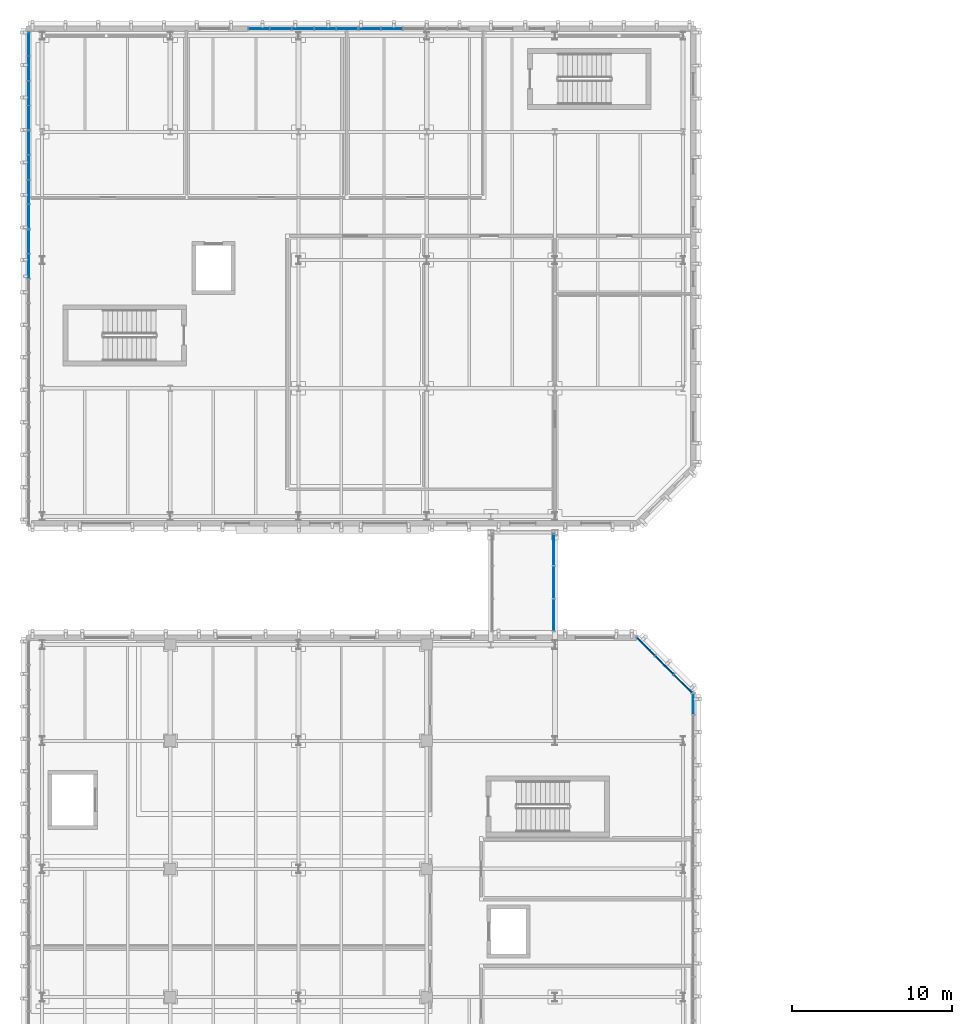
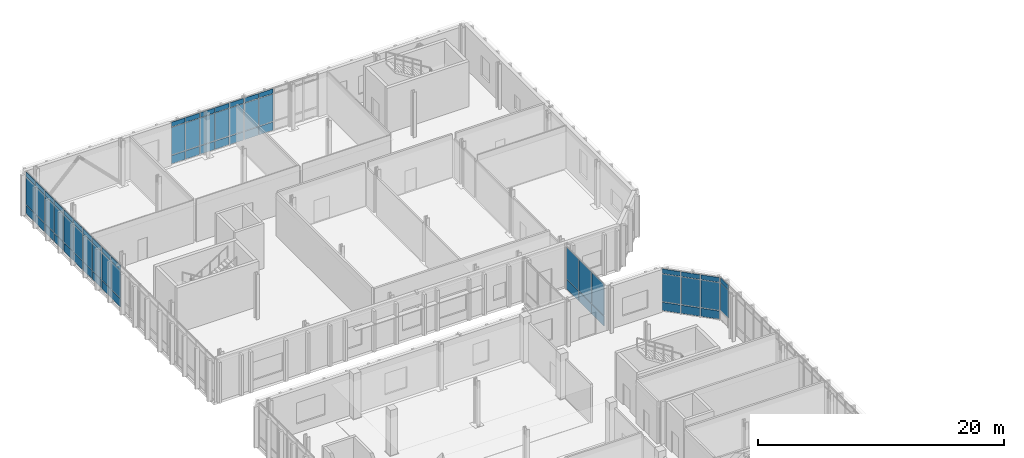
# One storey, part 56 of 100: 68 plates, 8 elements without a shape of their own.
"""IFC4 building model written with IfcOpenShell, lengths in metres."""

import ifcopenshell
import ifcopenshell.guid

model = None  # the IFC model being written
_history = None  # IfcOwnerHistory: only IFC2X3 demands one
_inside = {}  # id of a spatial element -> (the spatial element, [elements in it])
_under = {}  # id of a project, library or spatial element -> (it, [spatial elements below it])
_declared = {}  # id of a project -> (the project, [libraries it declares])
_typed = {}  # id of a type object -> (the type object, [elements of that type])
_made_of = {}  # id of a material, layer set ... -> (it, [elements and type objects made of it])


def new_model(schema):
    """Start an empty IFC model of exactly this schema.

    Asked for "IFC4X3", IfcOpenShell would pick the latest addendum, in which some entities
    have other attributes; the version numbers below select the first issue.
    IFC2X3 requires an IfcOwnerHistory on every rooted entity: one is made here for all.
    """
    global model, _history
    if schema == "IFC4X3":
        model = ifcopenshell.file(schema_version=(4, 3, 0, 0))
    else:
        model = ifcopenshell.file(schema=schema)
    _inside.clear()
    _under.clear()
    _declared.clear()
    _typed.clear()
    _made_of.clear()
    _history = None
    if model.schema == "IFC2X3":
        org = make("IfcOrganization", Name="unknown")
        user = make(
            "IfcPersonAndOrganization",
            ThePerson=make("IfcPerson", FamilyName="unknown"),
            TheOrganization=org,
        )
        app = make(
            "IfcApplication",
            ApplicationDeveloper=org,
            Version="unknown",
            ApplicationFullName="unknown",
            ApplicationIdentifier="unknown",
        )
        _history = make(
            "IfcOwnerHistory",
            OwningUser=user,
            OwningApplication=app,
            ChangeAction="ADDED",
            CreationDate=0,
        )
    return model


def make(cls, **values):
    """One entity of the class cls with the attributes given. An attribute that is None is left unset."""
    return model.create_entity(
        cls, **{name: value for name, value in values.items() if value is not None}
    )


def rooted(cls, **values):
    """An entity with a GlobalId (a new one), such as an element, a storey or a relation."""
    return make(cls, GlobalId=ifcopenshell.guid.new(), OwnerHistory=_history, **values)


def si_unit(unit_type, name, prefix=None):
    """IfcSIUnit, for example si_unit("LENGTHUNIT", "METRE", prefix="MILLI")."""
    return make("IfcSIUnit", UnitType=unit_type, Prefix=prefix, Name=name)


def assignment(units):
    """IfcUnitAssignment: the units of a project."""
    return None if units is None else make("IfcUnitAssignment", Units=units)


def point(xyz):
    """IfcCartesianPoint."""
    return None if xyz is None else make("IfcCartesianPoint", Coordinates=xyz)


def direction(xyz):
    """IfcDirection."""
    return None if xyz is None else make("IfcDirection", DirectionRatios=xyz)


def frame(location, z_axis=None, x_axis=None):
    """IfcAxis2Placement3D, a coordinate frame: its origin and axes. An axis left out is left unset."""
    return make(
        "IfcAxis2Placement3D",
        Location=point(location),
        Axis=direction(z_axis),
        RefDirection=direction(x_axis),
    )


def frame_2d(location, x_axis=None):
    """IfcAxis2Placement2D, a coordinate frame in the plane: its origin and x axis."""
    return make(
        "IfcAxis2Placement2D", Location=point(location), RefDirection=direction(x_axis)
    )


def origin():
    """The frame at (0, 0, 0) with its axes left unset."""
    return frame((0.0, 0.0, 0.0))


def origin_2d():
    """The frame at (0, 0) in the plane with its x axis left unset."""
    return frame_2d((0.0, 0.0))


def place(relative_to, where):
    """IfcLocalPlacement: puts the frame where relative to a parent placement (None: the world)."""
    return make(
        "IfcLocalPlacement", PlacementRelTo=relative_to, RelativePlacement=where
    )


def context(
    kind, dimensions, precision=None, world=None, true_north=None, identifier=None
):
    """IfcGeometricRepresentationContext, for example the 3D "Model" context."""
    return make(
        "IfcGeometricRepresentationContext",
        ContextIdentifier=identifier,
        ContextType=kind,
        CoordinateSpaceDimension=dimensions,
        Precision=precision,
        WorldCoordinateSystem=world,
        TrueNorth=true_north,
    )


def subcontext(parent, identifier, kind, view, scale=None):
    """IfcGeometricRepresentationSubContext, for example "Body" below "Model"."""
    return make(
        "IfcGeometricRepresentationSubContext",
        ContextIdentifier=identifier,
        ContextType=kind,
        ParentContext=parent,
        TargetScale=scale,
        TargetView=view,
    )


def project(units=None, contexts=None):
    """IfcProject with its units and contexts."""
    return rooted(
        "IfcProject",
        Name="project",
        RepresentationContexts=contexts,
        UnitsInContext=assignment(units),
    )


def spatial(cls, under=None, at=None, **own):
    """A site, building, storey or space (cls), placed at a placement, below another one or the project."""
    s = rooted(cls, ObjectPlacement=at, **own)
    if under is not None:
        _under.setdefault(under.id(), (under, []))[1].append(s)
    return s


def profile(cls, at=None, kind="AREA", **sizes):
    """A parametric profile (cls). Its sizes go by their IFC names, for example OverallWidth=200.0."""
    return make(cls, ProfileType=kind, Position=at, **sizes)


def rectangle(**sizes):
    """IfcRectangleProfileDef."""
    return profile("IfcRectangleProfileDef", **sizes)


def extrude(swept, where, along, depth):
    """IfcExtrudedAreaSolid: the profile swept, set in the frame where, extruded along a direction by depth."""
    return make(
        "IfcExtrudedAreaSolid",
        SweptArea=swept,
        Position=where,
        ExtrudedDirection=direction(along),
        Depth=depth,
    )


def shape(context_of_items, identifier, shape_type, items):
    """IfcShapeRepresentation: the items that make up one representation, for example the "Body"."""
    return make(
        "IfcShapeRepresentation",
        ContextOfItems=context_of_items,
        RepresentationIdentifier=identifier,
        RepresentationType=shape_type,
        Items=items,
    )


def material(Name=None, Category=None):
    """IfcMaterial."""
    return make("IfcMaterial", Name=Name, Category=Category)


def layer(
    of_material, thickness, ventilated=None, Name=None, Category=None, Priority=None
):
    """IfcMaterialLayer: one layer of a wall or slab, of a material (None: an air gap)."""
    return make(
        "IfcMaterialLayer",
        Material=of_material,
        LayerThickness=thickness,
        IsVentilated=ventilated,
        Name=Name,
        Category=Category,
        Priority=Priority,
    )


def layer_set(layers, Name=None):
    """IfcMaterialLayerSet."""
    return make("IfcMaterialLayerSet", MaterialLayers=layers, LayerSetName=Name)


def made_of(thing, what):
    """Note that an element or type object is made of a material, layer set ...; save() writes the relation."""
    if what is not None:
        _made_of.setdefault(what.id(), (what, []))[1].append(thing)
    return thing


def type_object(cls, material=None, **own):
    """A type object (cls), such as IfcWallType, which elements share."""
    return made_of(rooted(cls, **own), material)


def element(
    cls,
    number,
    at=None,
    inside=None,
    cuts=None,
    type_object=None,
    material=None,
    context=None,
    identifier="Body",
    shape_type=None,
    held_by="IfcProductDefinitionShape",
    body=None,
    shapes=None,
    **own,
):
    """One element of the class cls, such as IfcWall. Its Tag is "e" and its number.

    at: its placement. inside: the storey or other place that contains it. cuts: it is an
    opening in that element (IfcRelVoidsElement). A single representation is given by context,
    identifier, shape_type and body (its items); several are given by shapes. held_by: the class
    of the entity that holds the representations. save() writes the other relations.
    """
    e = rooted(cls, Tag="e%d" % number, ObjectPlacement=at, **own)
    if body is not None:
        shapes = [shape(context, identifier, shape_type, body)]
    if shapes is not None:
        e.Representation = make(held_by, Representations=shapes)
    if inside is not None:
        _inside.setdefault(inside.id(), (inside, []))[1].append(e)
    if cuts is not None:
        rooted(
            "IfcRelVoidsElement", RelatingBuildingElement=cuts, RelatedOpeningElement=e
        )
    if type_object is not None:
        _typed.setdefault(type_object.id(), (type_object, []))[1].append(e)
    return made_of(e, material)


def aggregate(whole, parts):
    """IfcRelAggregates: a whole, such as a stair, and the parts it consists of."""
    return rooted("IfcRelAggregates", RelatingObject=whole, RelatedObjects=parts)


def save(model, path):
    """Write the relations noted so far, then the file.

    IfcRelAggregates (storeys below a building ...), IfcRelContainedInSpatialStructure (elements
    in a storey), IfcRelDefinesByType, IfcRelAssociatesMaterial and IfcRelDeclares: one each for
    every whole, place, type object, material and project.
    """
    for whole, parts in _under.values():
        aggregate(whole, parts)
    for where, things in _inside.values():
        rooted(
            "IfcRelContainedInSpatialStructure",
            RelatedElements=things,
            RelatingStructure=where,
        )
    for kind, things in _typed.values():
        rooted("IfcRelDefinesByType", RelatedObjects=things, RelatingType=kind)
    for what, things in _made_of.values():
        rooted("IfcRelAssociatesMaterial", RelatedObjects=things, RelatingMaterial=what)
    for by, libraries in _declared.values():
        rooted("IfcRelDeclares", RelatingContext=by, RelatedDefinitions=libraries)
    model.write(path)


model = new_model("IFC4")

# Units and contexts
model_context = context("Model", 3, precision=1e-05, world=origin(), true_north=direction((0.0, 1.0)))
body_context = subcontext(model_context, "Body", "Model", "MODEL_VIEW")
ifc_project = project(units=[si_unit("LENGTHUNIT", "METRE"), si_unit("AREAUNIT", "SQUARE_METRE"), si_unit("VOLUMEUNIT", "CUBIC_METRE"), si_unit("PLANEANGLEUNIT", "RADIAN"), si_unit("MASSUNIT", "GRAM", prefix="KILO")], contexts=[model_context])

# Site, building, storey
site_placement = place(None, origin())
site = spatial("IfcSite", under=ifc_project, at=site_placement, CompositionType="ELEMENT")
building_placement = place(site_placement, origin())
building = spatial("IfcBuilding", under=site, at=building_placement, Name="Cymarion Research Institute", CompositionType="ELEMENT")
storey_placement = place(building_placement, frame((0.0, 0.0, 4.800048828125)))
storey = spatial("IfcBuildingStorey", under=building, at=storey_placement, Name="L01", CompositionType="ELEMENT", Elevation=4.800048828125)

# Curtain wall, plate
ifc_material_1 = material(Name="Anodised aluminium unitised curtain wall with Low-E glazing", Category="aluminium")
curtain_wall_type_1 = type_object("IfcCurtainWallType", Name="UNITISED CURTAIN WALL CW20 6820X4250", PredefinedType="NOTDEFINED", material=ifc_material_1)
curtain_wall_1_placement = place(storey_placement, origin())
curtain_wall_1 = element("IfcCurtainWall", 1, at=curtain_wall_1_placement, inside=storey, type_object=curtain_wall_type_1, Name="L01 V4 unitised curtain wall CW20 #42", PredefinedType="NOTDEFINED")
ifc_material_2 = material(Name="Insulated anodised aluminium spandrel panel", Category="aluminium")
ifc_layer_1 = layer(ifc_material_2, 0.06005859375)
ifc_layer_set_1 = layer_set([ifc_layer_1], Name="Insulated anodised aluminium spandrel panel")
plate_type_1 = type_object("IfcPlateType", Name="INSULATED ALUMINIUM SPANDREL PANEL SP01 60MM", PredefinedType="SHEET", material=ifc_layer_set_1)
plate_1_placement = place(storey_placement, frame((47.22998046875, 73.802978515625, 3.72998046875), z_axis=(0.0, 0.0, 1.0), x_axis=(0.0, 1.0, 0.0)))
plate_1 = element("IfcPlate", 2, at=plate_1_placement, type_object=plate_type_1, Name="CW20 panel 5.3", PredefinedType="SHEET", context=body_context, shape_type="SweptSolid", body=[
    extrude(rectangle(XDim=1.27392578125, YDim=0.06005859375, at=origin_2d()), origin(), (0.0, 0.0, 1.0), 0.4599609375),
])

# Curtain wall, plates
curtain_wall_type_2 = type_object("IfcCurtainWallType", Name="UNITISED CURTAIN WALL CW21 4970X4250", PredefinedType="NOTDEFINED", material=ifc_material_1)
curtain_wall_2_placement = place(storey_placement, origin())
curtain_wall_2 = element("IfcCurtainWall", 3, at=curtain_wall_2_placement, inside=storey, type_object=curtain_wall_type_2, Name="L01 V4 unitised curtain wall CW21 #43", PredefinedType="NOTDEFINED")
plate_2_placement = place(storey_placement, frame((46.5966796875, 75.062744140625, 0.059814453125), z_axis=(0.0, 0.0, 1.0), x_axis=(-0.707096717405, 0.707116844825, 0.0)))
plate_2 = element("IfcPlate", 4, at=plate_2_placement, type_object=plate_type_1, Name="CW21 panel 1.1", PredefinedType="SHEET", context=body_context, shape_type="SweptSolid", body=[
    extrude(rectangle(XDim=1.566162109375, YDim=0.06005859375, at=origin_2d()), origin(), (0.0, 0.0, 1.0), 0.81005859375),
])
plate_3_placement = place(storey_placement, frame((46.5966796875, 75.062744140625, 3.72998046875), z_axis=(0.0, 0.0, 1.0), x_axis=(-0.707096717405, 0.707116844825, 0.0)))
plate_3 = element("IfcPlate", 5, at=plate_3_placement, type_object=plate_type_1, Name="CW21 panel 1.3", PredefinedType="SHEET", context=body_context, shape_type="SweptSolid", body=[
    extrude(rectangle(XDim=1.566162109375, YDim=0.06005859375, at=origin_2d()), origin(), (0.0, 0.0, 1.0), 0.4599609375),
])
plate_4_placement = place(storey_placement, frame((45.436279296875, 76.22314453125, 0.059814453125), z_axis=(0.0, 0.0, 1.0), x_axis=(-0.707096717405, 0.707116844825, 0.0)))
plate_4 = element("IfcPlate", 6, at=plate_4_placement, type_object=plate_type_1, Name="CW21 panel 2.1", PredefinedType="SHEET", context=body_context, shape_type="SweptSolid", body=[
    extrude(rectangle(XDim=1.59619140625, YDim=0.06005859375, at=origin_2d()), origin(), (0.0, 0.0, 1.0), 0.81005859375),
])
plate_5_placement = place(storey_placement, frame((45.436279296875, 76.22314453125, 3.72998046875), z_axis=(0.0, 0.0, 1.0), x_axis=(-0.707096717405, 0.707116844825, 0.0)))
plate_5 = element("IfcPlate", 7, at=plate_5_placement, type_object=plate_type_1, Name="CW21 panel 2.3", PredefinedType="SHEET", context=body_context, shape_type="SweptSolid", body=[
    extrude(rectangle(XDim=1.59619140625, YDim=0.06005859375, at=origin_2d()), origin(), (0.0, 0.0, 1.0), 0.4599609375),
])
plate_6_placement = place(storey_placement, frame((44.27587890625, 77.383544921875, 0.059814453125), z_axis=(0.0, 0.0, 1.0), x_axis=(-0.707096717405, 0.707116844825, 0.0)))
plate_6 = element("IfcPlate", 8, at=plate_6_placement, type_object=plate_type_1, Name="CW21 panel 3.1", PredefinedType="SHEET", context=body_context, shape_type="SweptSolid", body=[
    extrude(rectangle(XDim=1.566162109375, YDim=0.06005859375, at=origin_2d()), origin(), (0.0, 0.0, 1.0), 0.81005859375),
])
plate_7_placement = place(storey_placement, frame((44.27587890625, 77.383544921875, 3.72998046875), z_axis=(0.0, 0.0, 1.0), x_axis=(-0.707096717405, 0.707116844825, 0.0)))
plate_7 = element("IfcPlate", 9, at=plate_7_placement, type_object=plate_type_1, Name="CW21 panel 3.3", PredefinedType="SHEET", context=body_context, shape_type="SweptSolid", body=[
    extrude(rectangle(XDim=1.566162109375, YDim=0.06005859375, at=origin_2d()), origin(), (0.0, 0.0, 1.0), 0.4599609375),
])

curtain_wall_type_3 = type_object("IfcCurtainWallType", Name="UNITISED CURTAIN WALL CW23 6910X4250", PredefinedType="NOTDEFINED", material=ifc_material_1)
curtain_wall_3_placement = place(storey_placement, origin())
curtain_wall_3 = element("IfcCurtainWall", 10, at=curtain_wall_3_placement, inside=storey, type_object=curtain_wall_type_3, Name="L01 V5 unitised curtain wall CW23 #49", PredefinedType="NOTDEFINED")
plate_8_placement = place(storey_placement, frame((28.412841796875, 115.929931640625, 0.059814453125), z_axis=(0.0, 0.0, 1.0), x_axis=(-1.0, 0.0, 0.0)))
plate_8 = element("IfcPlate", 11, at=plate_8_placement, type_object=plate_type_1, Name="CW23 panel 4.1", PredefinedType="SHEET", context=body_context, shape_type="SweptSolid", body=[
    extrude(rectangle(XDim=1.322509765625, YDim=0.06005859375, at=origin_2d()), origin(), (0.0, 0.0, 1.0), 0.81005859375),
])
plate_9_placement = place(storey_placement, frame((28.412841796875, 115.929931640625, 3.72998046875), z_axis=(0.0, 0.0, 1.0), x_axis=(-1.0, 0.0, 0.0)))
plate_9 = element("IfcPlate", 12, at=plate_9_placement, type_object=plate_type_1, Name="CW23 panel 4.3", PredefinedType="SHEET", context=body_context, shape_type="SweptSolid", body=[
    extrude(rectangle(XDim=1.322509765625, YDim=0.06005859375, at=origin_2d()), origin(), (0.0, 0.0, 1.0), 0.4599609375),
])
plate_10_placement = place(storey_placement, frame((27.04541015625, 115.929931640625, 0.059814453125), z_axis=(0.0, 0.0, 1.0), x_axis=(-1.0, 0.0, 0.0)))
plate_10 = element("IfcPlate", 13, at=plate_10_placement, type_object=plate_type_1, Name="CW23 panel 5.1", PredefinedType="SHEET", context=body_context, shape_type="SweptSolid", body=[
    extrude(rectangle(XDim=1.29248046875, YDim=0.06005859375, at=origin_2d()), origin(), (0.0, 0.0, 1.0), 0.81005859375),
])
plate_11_placement = place(storey_placement, frame((27.04541015625, 115.929931640625, 3.72998046875), z_axis=(0.0, 0.0, 1.0), x_axis=(-1.0, 0.0, 0.0)))
plate_11 = element("IfcPlate", 14, at=plate_11_placement, type_object=plate_type_1, Name="CW23 panel 5.3", PredefinedType="SHEET", context=body_context, shape_type="SweptSolid", body=[
    extrude(rectangle(XDim=1.29248046875, YDim=0.06005859375, at=origin_2d()), origin(), (0.0, 0.0, 1.0), 0.4599609375),
])

curtain_wall_4_placement = place(storey_placement, origin())
curtain_wall_4 = element("IfcCurtainWall", 15, at=curtain_wall_4_placement, inside=storey, type_object=curtain_wall_type_3, Name="L01 V5 unitised curtain wall CW23 #50", PredefinedType="NOTDEFINED")
plate_12_placement = place(storey_placement, frame((25.6328125, 115.929931640625, 0.059814453125), z_axis=(0.0, 0.0, 1.0), x_axis=(-1.0, 0.0, 0.0)))
plate_12 = element("IfcPlate", 16, at=plate_12_placement, type_object=plate_type_1, Name="CW23 panel 1.1", PredefinedType="SHEET", context=body_context, shape_type="SweptSolid", body=[
    extrude(rectangle(XDim=1.29248046875, YDim=0.06005859375, at=origin_2d()), origin(), (0.0, 0.0, 1.0), 0.81005859375),
])
plate_13_placement = place(storey_placement, frame((25.6328125, 115.929931640625, 3.72998046875), z_axis=(0.0, 0.0, 1.0), x_axis=(-1.0, 0.0, 0.0)))
plate_13 = element("IfcPlate", 17, at=plate_13_placement, type_object=plate_type_1, Name="CW23 panel 1.3", PredefinedType="SHEET", context=body_context, shape_type="SweptSolid", body=[
    extrude(rectangle(XDim=1.29248046875, YDim=0.06005859375, at=origin_2d()), origin(), (0.0, 0.0, 1.0), 0.4599609375),
])
plate_14_placement = place(storey_placement, frame((24.26513671875, 115.929931640625, 0.059814453125), z_axis=(0.0, 0.0, 1.0), x_axis=(-1.0, 0.0, 0.0)))
plate_14 = element("IfcPlate", 18, at=plate_14_placement, type_object=plate_type_1, Name="CW23 panel 2.1", PredefinedType="SHEET", context=body_context, shape_type="SweptSolid", body=[
    extrude(rectangle(XDim=1.322509765625, YDim=0.06005859375, at=origin_2d()), origin(), (0.0, 0.0, 1.0), 0.81005859375),
])
plate_15_placement = place(storey_placement, frame((24.26513671875, 115.929931640625, 3.72998046875), z_axis=(0.0, 0.0, 1.0), x_axis=(-1.0, 0.0, 0.0)))
plate_15 = element("IfcPlate", 19, at=plate_15_placement, type_object=plate_type_1, Name="CW23 panel 2.3", PredefinedType="SHEET", context=body_context, shape_type="SweptSolid", body=[
    extrude(rectangle(XDim=1.322509765625, YDim=0.06005859375, at=origin_2d()), origin(), (0.0, 0.0, 1.0), 0.4599609375),
])
plate_16_placement = place(storey_placement, frame((22.882568359375, 115.929931640625, 0.059814453125), z_axis=(0.0, 0.0, 1.0), x_axis=(-1.0, 0.0, 0.0)))
plate_16 = element("IfcPlate", 20, at=plate_16_placement, type_object=plate_type_1, Name="CW23 panel 3.1", PredefinedType="SHEET", context=body_context, shape_type="SweptSolid", body=[
    extrude(rectangle(XDim=1.322509765625, YDim=0.06005859375, at=origin_2d()), origin(), (0.0, 0.0, 1.0), 0.81005859375),
])
plate_17_placement = place(storey_placement, frame((22.882568359375, 115.929931640625, 3.72998046875), z_axis=(0.0, 0.0, 1.0), x_axis=(-1.0, 0.0, 0.0)))
plate_17 = element("IfcPlate", 21, at=plate_17_placement, type_object=plate_type_1, Name="CW23 panel 3.3", PredefinedType="SHEET", context=body_context, shape_type="SweptSolid", body=[
    extrude(rectangle(XDim=1.322509765625, YDim=0.06005859375, at=origin_2d()), origin(), (0.0, 0.0, 1.0), 0.4599609375),
])
plate_18_placement = place(storey_placement, frame((21.5, 115.929931640625, 0.059814453125), z_axis=(0.0, 0.0, 1.0), x_axis=(-1.0, 0.0, 0.0)))
plate_18 = element("IfcPlate", 22, at=plate_18_placement, type_object=plate_type_1, Name="CW23 panel 4.1", PredefinedType="SHEET", context=body_context, shape_type="SweptSolid", body=[
    extrude(rectangle(XDim=1.322509765625, YDim=0.06005859375, at=origin_2d()), origin(), (0.0, 0.0, 1.0), 0.81005859375),
])
plate_19_placement = place(storey_placement, frame((21.5, 115.929931640625, 3.72998046875), z_axis=(0.0, 0.0, 1.0), x_axis=(-1.0, 0.0, 0.0)))
plate_19 = element("IfcPlate", 23, at=plate_19_placement, type_object=plate_type_1, Name="CW23 panel 4.3", PredefinedType="SHEET", context=body_context, shape_type="SweptSolid", body=[
    extrude(rectangle(XDim=1.322509765625, YDim=0.06005859375, at=origin_2d()), origin(), (0.0, 0.0, 1.0), 0.4599609375),
])
plate_20_placement = place(storey_placement, frame((20.13232421875, 115.929931640625, 0.059814453125), z_axis=(0.0, 0.0, 1.0), x_axis=(-1.0, 0.0, 0.0)))
plate_20 = element("IfcPlate", 24, at=plate_20_placement, type_object=plate_type_1, Name="CW23 panel 5.1", PredefinedType="SHEET", context=body_context, shape_type="SweptSolid", body=[
    extrude(rectangle(XDim=1.29248046875, YDim=0.06005859375, at=origin_2d()), origin(), (0.0, 0.0, 1.0), 0.81005859375),
])
plate_21_placement = place(storey_placement, frame((20.13232421875, 115.929931640625, 3.72998046875), z_axis=(0.0, 0.0, 1.0), x_axis=(-1.0, 0.0, 0.0)))
plate_21 = element("IfcPlate", 25, at=plate_21_placement, type_object=plate_type_1, Name="CW23 panel 5.3", PredefinedType="SHEET", context=body_context, shape_type="SweptSolid", body=[
    extrude(rectangle(XDim=1.29248046875, YDim=0.06005859375, at=origin_2d()), origin(), (0.0, 0.0, 1.0), 0.4599609375),
])

curtain_wall_type_4 = type_object("IfcCurtainWallType", Name="UNITISED CURTAIN WALL CW22 6180X4250", PredefinedType="NOTDEFINED", material=ifc_material_1)
curtain_wall_5_placement = place(storey_placement, origin())
curtain_wall_5 = element("IfcCurtainWall", 26, at=curtain_wall_5_placement, inside=storey, type_object=curtain_wall_type_4, Name="L01 V5 unitised curtain wall CW22 #51", PredefinedType="NOTDEFINED")
plate_22_placement = place(storey_placement, frame((5.77001953125, 114.990966796875, 0.059814453125), z_axis=(0.0, 0.0, 1.0), x_axis=(0.0, -1.0, 0.0)))
plate_22 = element("IfcPlate", 27, at=plate_22_placement, type_object=plate_type_1, Name="CW22 panel 1.1", PredefinedType="SHEET", context=body_context, shape_type="SweptSolid", body=[
    extrude(rectangle(XDim=1.453857421875, YDim=0.06005859375, at=origin_2d()), origin(), (0.0, 0.0, 1.0), 0.81005859375),
])
plate_23_placement = place(storey_placement, frame((5.77001953125, 114.990966796875, 3.72998046875), z_axis=(0.0, 0.0, 1.0), x_axis=(0.0, -1.0, 0.0)))
plate_23 = element("IfcPlate", 28, at=plate_23_placement, type_object=plate_type_1, Name="CW22 panel 1.3", PredefinedType="SHEET", context=body_context, shape_type="SweptSolid", body=[
    extrude(rectangle(XDim=1.453857421875, YDim=0.06005859375, at=origin_2d()), origin(), (0.0, 0.0, 1.0), 0.4599609375),
])
plate_24_placement = place(storey_placement, frame((5.77001953125, 113.462158203125, 0.059814453125), z_axis=(0.0, 0.0, 1.0), x_axis=(0.0, -1.0, 0.0)))
plate_24 = element("IfcPlate", 29, at=plate_24_placement, type_object=plate_type_1, Name="CW22 panel 2.1", PredefinedType="SHEET", context=body_context, shape_type="SweptSolid", body=[
    extrude(rectangle(XDim=1.48388671875, YDim=0.06005859375, at=origin_2d()), origin(), (0.0, 0.0, 1.0), 0.81005859375),
])
plate_25_placement = place(storey_placement, frame((5.77001953125, 113.462158203125, 3.72998046875), z_axis=(0.0, 0.0, 1.0), x_axis=(0.0, -1.0, 0.0)))
plate_25 = element("IfcPlate", 30, at=plate_25_placement, type_object=plate_type_1, Name="CW22 panel 2.3", PredefinedType="SHEET", context=body_context, shape_type="SweptSolid", body=[
    extrude(rectangle(XDim=1.48388671875, YDim=0.06005859375, at=origin_2d()), origin(), (0.0, 0.0, 1.0), 0.4599609375),
])
plate_26_placement = place(storey_placement, frame((5.77001953125, 111.918212890625, 0.059814453125), z_axis=(0.0, 0.0, 1.0), x_axis=(0.0, -1.0, 0.0)))
plate_26 = element("IfcPlate", 31, at=plate_26_placement, type_object=plate_type_1, Name="CW22 panel 3.1", PredefinedType="SHEET", context=body_context, shape_type="SweptSolid", body=[
    extrude(rectangle(XDim=1.48388671875, YDim=0.06005859375, at=origin_2d()), origin(), (0.0, 0.0, 1.0), 0.81005859375),
])
plate_27_placement = place(storey_placement, frame((5.77001953125, 111.918212890625, 3.72998046875), z_axis=(0.0, 0.0, 1.0), x_axis=(0.0, -1.0, 0.0)))
plate_27 = element("IfcPlate", 32, at=plate_27_placement, type_object=plate_type_1, Name="CW22 panel 3.3", PredefinedType="SHEET", context=body_context, shape_type="SweptSolid", body=[
    extrude(rectangle(XDim=1.48388671875, YDim=0.06005859375, at=origin_2d()), origin(), (0.0, 0.0, 1.0), 0.4599609375),
])
plate_28_placement = place(storey_placement, frame((5.77001953125, 110.389404296875, 0.059814453125), z_axis=(0.0, 0.0, 1.0), x_axis=(0.0, -1.0, 0.0)))
plate_28 = element("IfcPlate", 33, at=plate_28_placement, type_object=plate_type_1, Name="CW22 panel 4.1", PredefinedType="SHEET", context=body_context, shape_type="SweptSolid", body=[
    extrude(rectangle(XDim=1.453857421875, YDim=0.06005859375, at=origin_2d()), origin(), (0.0, 0.0, 1.0), 0.81005859375),
])
plate_29_placement = place(storey_placement, frame((5.77001953125, 110.389404296875, 3.72998046875), z_axis=(0.0, 0.0, 1.0), x_axis=(0.0, -1.0, 0.0)))
plate_29 = element("IfcPlate", 34, at=plate_29_placement, type_object=plate_type_1, Name="CW22 panel 4.3", PredefinedType="SHEET", context=body_context, shape_type="SweptSolid", body=[
    extrude(rectangle(XDim=1.453857421875, YDim=0.06005859375, at=origin_2d()), origin(), (0.0, 0.0, 1.0), 0.4599609375),
])

curtain_wall_6_placement = place(storey_placement, origin())
curtain_wall_6 = element("IfcCurtainWall", 35, at=curtain_wall_6_placement, inside=storey, type_object=curtain_wall_type_4, Name="L01 V5 unitised curtain wall CW22 #52", PredefinedType="NOTDEFINED")
plate_30_placement = place(storey_placement, frame((5.77001953125, 108.8154296875, 0.059814453125), z_axis=(0.0, 0.0, 1.0), x_axis=(0.0, -1.0, 0.0)))
plate_30 = element("IfcPlate", 36, at=plate_30_placement, type_object=plate_type_1, Name="CW22 panel 1.1", PredefinedType="SHEET", context=body_context, shape_type="SweptSolid", body=[
    extrude(rectangle(XDim=1.453857421875, YDim=0.06005859375, at=origin_2d()), origin(), (0.0, 0.0, 1.0), 0.81005859375),
])
plate_31_placement = place(storey_placement, frame((5.77001953125, 108.8154296875, 3.72998046875), z_axis=(0.0, 0.0, 1.0), x_axis=(0.0, -1.0, 0.0)))
plate_31 = element("IfcPlate", 37, at=plate_31_placement, type_object=plate_type_1, Name="CW22 panel 1.3", PredefinedType="SHEET", context=body_context, shape_type="SweptSolid", body=[
    extrude(rectangle(XDim=1.453857421875, YDim=0.06005859375, at=origin_2d()), origin(), (0.0, 0.0, 1.0), 0.4599609375),
])
plate_32_placement = place(storey_placement, frame((5.77001953125, 107.28662109375, 0.059814453125), z_axis=(0.0, 0.0, 1.0), x_axis=(0.0, -1.0, 0.0)))
plate_32 = element("IfcPlate", 38, at=plate_32_placement, type_object=plate_type_1, Name="CW22 panel 2.1", PredefinedType="SHEET", context=body_context, shape_type="SweptSolid", body=[
    extrude(rectangle(XDim=1.48388671875, YDim=0.06005859375, at=origin_2d()), origin(), (0.0, 0.0, 1.0), 0.81005859375),
])
plate_33_placement = place(storey_placement, frame((5.77001953125, 107.28662109375, 3.72998046875), z_axis=(0.0, 0.0, 1.0), x_axis=(0.0, -1.0, 0.0)))
plate_33 = element("IfcPlate", 39, at=plate_33_placement, type_object=plate_type_1, Name="CW22 panel 2.3", PredefinedType="SHEET", context=body_context, shape_type="SweptSolid", body=[
    extrude(rectangle(XDim=1.48388671875, YDim=0.06005859375, at=origin_2d()), origin(), (0.0, 0.0, 1.0), 0.4599609375),
])
plate_34_placement = place(storey_placement, frame((5.77001953125, 105.74267578125, 0.059814453125), z_axis=(0.0, 0.0, 1.0), x_axis=(0.0, -1.0, 0.0)))
plate_34 = element("IfcPlate", 40, at=plate_34_placement, type_object=plate_type_1, Name="CW22 panel 3.1", PredefinedType="SHEET", context=body_context, shape_type="SweptSolid", body=[
    extrude(rectangle(XDim=1.48388671875, YDim=0.06005859375, at=origin_2d()), origin(), (0.0, 0.0, 1.0), 0.81005859375),
])
plate_35_placement = place(storey_placement, frame((5.77001953125, 105.74267578125, 3.72998046875), z_axis=(0.0, 0.0, 1.0), x_axis=(0.0, -1.0, 0.0)))
plate_35 = element("IfcPlate", 41, at=plate_35_placement, type_object=plate_type_1, Name="CW22 panel 3.3", PredefinedType="SHEET", context=body_context, shape_type="SweptSolid", body=[
    extrude(rectangle(XDim=1.48388671875, YDim=0.06005859375, at=origin_2d()), origin(), (0.0, 0.0, 1.0), 0.4599609375),
])
plate_36_placement = place(storey_placement, frame((5.77001953125, 104.2138671875, 0.059814453125), z_axis=(0.0, 0.0, 1.0), x_axis=(0.0, -1.0, 0.0)))
plate_36 = element("IfcPlate", 42, at=plate_36_placement, type_object=plate_type_1, Name="CW22 panel 4.1", PredefinedType="SHEET", context=body_context, shape_type="SweptSolid", body=[
    extrude(rectangle(XDim=1.453857421875, YDim=0.06005859375, at=origin_2d()), origin(), (0.0, 0.0, 1.0), 0.81005859375),
])
plate_37_placement = place(storey_placement, frame((5.77001953125, 104.2138671875, 3.72998046875), z_axis=(0.0, 0.0, 1.0), x_axis=(0.0, -1.0, 0.0)))
plate_37 = element("IfcPlate", 43, at=plate_37_placement, type_object=plate_type_1, Name="CW22 panel 4.3", PredefinedType="SHEET", context=body_context, shape_type="SweptSolid", body=[
    extrude(rectangle(XDim=1.453857421875, YDim=0.06005859375, at=origin_2d()), origin(), (0.0, 0.0, 1.0), 0.4599609375),
])

curtain_wall_7_placement = place(storey_placement, origin())
curtain_wall_7 = element("IfcCurtainWall", 44, at=curtain_wall_7_placement, inside=storey, type_object=curtain_wall_type_4, Name="L01 V5 unitised curtain wall CW22 #53", PredefinedType="NOTDEFINED")
plate_38_placement = place(storey_placement, frame((5.77001953125, 102.639892578125, 0.059814453125), z_axis=(0.0, 0.0, 1.0), x_axis=(0.0, -1.0, 0.0)))
plate_38 = element("IfcPlate", 45, at=plate_38_placement, type_object=plate_type_1, Name="CW22 panel 1.1", PredefinedType="SHEET", context=body_context, shape_type="SweptSolid", body=[
    extrude(rectangle(XDim=1.453857421875, YDim=0.06005859375, at=origin_2d()), origin(), (0.0, 0.0, 1.0), 0.81005859375),
])
plate_39_placement = place(storey_placement, frame((5.77001953125, 102.639892578125, 3.72998046875), z_axis=(0.0, 0.0, 1.0), x_axis=(0.0, -1.0, 0.0)))
plate_39 = element("IfcPlate", 46, at=plate_39_placement, type_object=plate_type_1, Name="CW22 panel 1.3", PredefinedType="SHEET", context=body_context, shape_type="SweptSolid", body=[
    extrude(rectangle(XDim=1.453857421875, YDim=0.06005859375, at=origin_2d()), origin(), (0.0, 0.0, 1.0), 0.4599609375),
])
plate_40_placement = place(storey_placement, frame((5.77001953125, 101.11083984375, 0.059814453125), z_axis=(0.0, 0.0, 1.0), x_axis=(0.0, -1.0, 0.0)))
plate_40 = element("IfcPlate", 47, at=plate_40_placement, type_object=plate_type_1, Name="CW22 panel 2.1", PredefinedType="SHEET", context=body_context, shape_type="SweptSolid", body=[
    extrude(rectangle(XDim=1.48388671875, YDim=0.06005859375, at=origin_2d()), origin(), (0.0, 0.0, 1.0), 0.81005859375),
])
plate_41_placement = place(storey_placement, frame((5.77001953125, 101.11083984375, 3.72998046875), z_axis=(0.0, 0.0, 1.0), x_axis=(0.0, -1.0, 0.0)))
plate_41 = element("IfcPlate", 48, at=plate_41_placement, type_object=plate_type_1, Name="CW22 panel 2.3", PredefinedType="SHEET", context=body_context, shape_type="SweptSolid", body=[
    extrude(rectangle(XDim=1.48388671875, YDim=0.06005859375, at=origin_2d()), origin(), (0.0, 0.0, 1.0), 0.4599609375),
])

curtain_wall_type_5 = type_object("IfcCurtainWallType", Name="UNITISED CURTAIN WALL CW25 6200X4260", PredefinedType="NOTDEFINED", material=ifc_material_1)
curtain_wall_8_placement = place(storey_placement, origin())
curtain_wall_8 = element("IfcCurtainWall", 49, at=curtain_wall_8_placement, inside=storey, type_object=curtain_wall_type_5, Name="L01 SP2 sky-passage glazed wall 2", PredefinedType="NOTDEFINED")
plate_42_placement = place(storey_placement, frame((38.52001953125, 79.348388671875, 0.06005859375), z_axis=(0.0, 0.0, 1.0), x_axis=(0.0, 1.0, 0.0)))
plate_42 = element("IfcPlate", 50, at=plate_42_placement, type_object=plate_type_1, Name="CW25 panel 1.1", PredefinedType="SHEET", context=body_context, shape_type="SweptSolid", body=[
    extrude(rectangle(XDim=1.9765625, YDim=0.06005859375, at=origin_2d()), origin(), (0.0, 0.0, 1.0), 0.9599609375),
])
plate_43_placement = place(storey_placement, frame((38.52001953125, 81.39990234375, 0.06005859375), z_axis=(0.0, 0.0, 1.0), x_axis=(0.0, 1.0, 0.0)))
plate_43 = element("IfcPlate", 51, at=plate_43_placement, type_object=plate_type_1, Name="CW25 panel 2.1", PredefinedType="SHEET", context=body_context, shape_type="SweptSolid", body=[
    extrude(rectangle(XDim=2.006591796875, YDim=0.06005859375, at=origin_2d()), origin(), (0.0, 0.0, 1.0), 0.9599609375),
])
plate_44_placement = place(storey_placement, frame((38.52001953125, 83.45166015625, 0.06005859375), z_axis=(0.0, 0.0, 1.0), x_axis=(0.0, 1.0, 0.0)))
plate_44 = element("IfcPlate", 52, at=plate_44_placement, type_object=plate_type_1, Name="CW25 panel 3.1", PredefinedType="SHEET", context=body_context, shape_type="SweptSolid", body=[
    extrude(rectangle(XDim=1.9765625, YDim=0.06005859375, at=origin_2d()), origin(), (0.0, 0.0, 1.0), 0.9599609375),
])

# Plate
ifc_material_3 = material(Name="Low-E double solar-control glazing", Category="glass")
ifc_layer_2 = layer(ifc_material_3, 0.035888671875)
ifc_layer_set_2 = layer_set([ifc_layer_2], Name="Low-E double solar-control glazing")
plate_type_2 = type_object("IfcPlateType", Name="SOLAR CONTROL GLAZED VISION PANEL GP01 36MM", PredefinedType="CURTAIN_PANEL", material=ifc_layer_set_2)
plate_45_placement = place(storey_placement, frame((47.22998046875, 73.802978515625, 0.93017578125), z_axis=(0.0, 0.0, 1.0), x_axis=(0.0, 1.0, 0.0)))
plate_45 = element("IfcPlate", 53, at=plate_45_placement, type_object=plate_type_2, Name="CW20 panel 5.2", PredefinedType="CURTAIN_PANEL", context=body_context, shape_type="SweptSolid", body=[
    extrude(rectangle(XDim=1.27392578125, YDim=0.035888671875, at=origin_2d()), origin(), (0.0, 0.0, 1.0), 2.739990234375),
])

aggregate(curtain_wall_1, [plate_45, plate_1])

plate_46_placement = place(storey_placement, frame((46.5966796875, 75.062744140625, 0.93017578125), z_axis=(0.0, 0.0, 1.0), x_axis=(-0.707096717405, 0.707116844825, 0.0)))
plate_46 = element("IfcPlate", 54, at=plate_46_placement, type_object=plate_type_2, Name="CW21 panel 1.2", PredefinedType="CURTAIN_PANEL", context=body_context, shape_type="SweptSolid", body=[
    extrude(rectangle(XDim=1.566162109375, YDim=0.035888671875, at=origin_2d()), origin(), (0.0, 0.0, 1.0), 2.739990234375),
])

plate_47_placement = place(storey_placement, frame((45.436279296875, 76.22314453125, 0.93017578125), z_axis=(0.0, 0.0, 1.0), x_axis=(-0.707096717405, 0.707116844825, 0.0)))
plate_47 = element("IfcPlate", 55, at=plate_47_placement, type_object=plate_type_2, Name="CW21 panel 2.2", PredefinedType="CURTAIN_PANEL", context=body_context, shape_type="SweptSolid", body=[
    extrude(rectangle(XDim=1.59619140625, YDim=0.035888671875, at=origin_2d()), origin(), (0.0, 0.0, 1.0), 2.739990234375),
])

plate_48_placement = place(storey_placement, frame((44.27587890625, 77.383544921875, 0.93017578125), z_axis=(0.0, 0.0, 1.0), x_axis=(-0.707096717405, 0.707116844825, 0.0)))
plate_48 = element("IfcPlate", 56, at=plate_48_placement, type_object=plate_type_2, Name="CW21 panel 3.2", PredefinedType="CURTAIN_PANEL", context=body_context, shape_type="SweptSolid", body=[
    extrude(rectangle(XDim=1.566162109375, YDim=0.035888671875, at=origin_2d()), origin(), (0.0, 0.0, 1.0), 2.739990234375),
])

aggregate(curtain_wall_2, [plate_2, plate_46, plate_3, plate_4, plate_47, plate_5, plate_6, plate_48, plate_7])

plate_49_placement = place(storey_placement, frame((28.412841796875, 115.929931640625, 0.93017578125), z_axis=(0.0, 0.0, 1.0), x_axis=(-1.0, 0.0, 0.0)))
plate_49 = element("IfcPlate", 57, at=plate_49_placement, type_object=plate_type_2, Name="CW23 panel 4.2", PredefinedType="CURTAIN_PANEL", context=body_context, shape_type="SweptSolid", body=[
    extrude(rectangle(XDim=1.322509765625, YDim=0.035888671875, at=origin_2d()), origin(), (0.0, 0.0, 1.0), 2.739990234375),
])

plate_50_placement = place(storey_placement, frame((27.04541015625, 115.929931640625, 0.93017578125), z_axis=(0.0, 0.0, 1.0), x_axis=(-1.0, 0.0, 0.0)))
plate_50 = element("IfcPlate", 58, at=plate_50_placement, type_object=plate_type_2, Name="CW23 panel 5.2", PredefinedType="CURTAIN_PANEL", context=body_context, shape_type="SweptSolid", body=[
    extrude(rectangle(XDim=1.29248046875, YDim=0.035888671875, at=origin_2d()), origin(), (0.0, 0.0, 1.0), 2.739990234375),
])

aggregate(curtain_wall_3, [plate_8, plate_49, plate_9, plate_10, plate_50, plate_11])

plate_51_placement = place(storey_placement, frame((25.6328125, 115.929931640625, 0.93017578125), z_axis=(0.0, 0.0, 1.0), x_axis=(-1.0, 0.0, 0.0)))
plate_51 = element("IfcPlate", 59, at=plate_51_placement, type_object=plate_type_2, Name="CW23 panel 1.2", PredefinedType="CURTAIN_PANEL", context=body_context, shape_type="SweptSolid", body=[
    extrude(rectangle(XDim=1.29248046875, YDim=0.035888671875, at=origin_2d()), origin(), (0.0, 0.0, 1.0), 2.739990234375),
])

plate_52_placement = place(storey_placement, frame((24.26513671875, 115.929931640625, 0.93017578125), z_axis=(0.0, 0.0, 1.0), x_axis=(-1.0, 0.0, 0.0)))
plate_52 = element("IfcPlate", 60, at=plate_52_placement, type_object=plate_type_2, Name="CW23 panel 2.2", PredefinedType="CURTAIN_PANEL", context=body_context, shape_type="SweptSolid", body=[
    extrude(rectangle(XDim=1.322509765625, YDim=0.035888671875, at=origin_2d()), origin(), (0.0, 0.0, 1.0), 2.739990234375),
])

plate_53_placement = place(storey_placement, frame((22.882568359375, 115.929931640625, 0.93017578125), z_axis=(0.0, 0.0, 1.0), x_axis=(-1.0, 0.0, 0.0)))
plate_53 = element("IfcPlate", 61, at=plate_53_placement, type_object=plate_type_2, Name="CW23 panel 3.2", PredefinedType="CURTAIN_PANEL", context=body_context, shape_type="SweptSolid", body=[
    extrude(rectangle(XDim=1.322509765625, YDim=0.035888671875, at=origin_2d()), origin(), (0.0, 0.0, 1.0), 2.739990234375),
])

plate_54_placement = place(storey_placement, frame((21.5, 115.929931640625, 0.93017578125), z_axis=(0.0, 0.0, 1.0), x_axis=(-1.0, 0.0, 0.0)))
plate_54 = element("IfcPlate", 62, at=plate_54_placement, type_object=plate_type_2, Name="CW23 panel 4.2", PredefinedType="CURTAIN_PANEL", context=body_context, shape_type="SweptSolid", body=[
    extrude(rectangle(XDim=1.322509765625, YDim=0.035888671875, at=origin_2d()), origin(), (0.0, 0.0, 1.0), 2.739990234375),
])

plate_55_placement = place(storey_placement, frame((20.13232421875, 115.929931640625, 0.93017578125), z_axis=(0.0, 0.0, 1.0), x_axis=(-1.0, 0.0, 0.0)))
plate_55 = element("IfcPlate", 63, at=plate_55_placement, type_object=plate_type_2, Name="CW23 panel 5.2", PredefinedType="CURTAIN_PANEL", context=body_context, shape_type="SweptSolid", body=[
    extrude(rectangle(XDim=1.29248046875, YDim=0.035888671875, at=origin_2d()), origin(), (0.0, 0.0, 1.0), 2.739990234375),
])

aggregate(curtain_wall_4, [plate_12, plate_51, plate_13, plate_14, plate_52, plate_15, plate_16, plate_53, plate_17, plate_18, plate_54, plate_19, plate_20, plate_55, plate_21])

plate_56_placement = place(storey_placement, frame((5.77001953125, 114.990966796875, 0.93017578125), z_axis=(0.0, 0.0, 1.0), x_axis=(0.0, -1.0, 0.0)))
plate_56 = element("IfcPlate", 64, at=plate_56_placement, type_object=plate_type_2, Name="CW22 panel 1.2", PredefinedType="CURTAIN_PANEL", context=body_context, shape_type="SweptSolid", body=[
    extrude(rectangle(XDim=1.453857421875, YDim=0.035888671875, at=origin_2d()), origin(), (0.0, 0.0, 1.0), 2.739990234375),
])

plate_57_placement = place(storey_placement, frame((5.77001953125, 113.462158203125, 0.93017578125), z_axis=(0.0, 0.0, 1.0), x_axis=(0.0, -1.0, 0.0)))
plate_57 = element("IfcPlate", 65, at=plate_57_placement, type_object=plate_type_2, Name="CW22 panel 2.2", PredefinedType="CURTAIN_PANEL", context=body_context, shape_type="SweptSolid", body=[
    extrude(rectangle(XDim=1.48388671875, YDim=0.035888671875, at=origin_2d()), origin(), (0.0, 0.0, 1.0), 2.739990234375),
])

plate_58_placement = place(storey_placement, frame((5.77001953125, 111.918212890625, 0.93017578125), z_axis=(0.0, 0.0, 1.0), x_axis=(0.0, -1.0, 0.0)))
plate_58 = element("IfcPlate", 66, at=plate_58_placement, type_object=plate_type_2, Name="CW22 panel 3.2", PredefinedType="CURTAIN_PANEL", context=body_context, shape_type="SweptSolid", body=[
    extrude(rectangle(XDim=1.48388671875, YDim=0.035888671875, at=origin_2d()), origin(), (0.0, 0.0, 1.0), 2.739990234375),
])

plate_59_placement = place(storey_placement, frame((5.77001953125, 110.389404296875, 0.93017578125), z_axis=(0.0, 0.0, 1.0), x_axis=(0.0, -1.0, 0.0)))
plate_59 = element("IfcPlate", 67, at=plate_59_placement, type_object=plate_type_2, Name="CW22 panel 4.2", PredefinedType="CURTAIN_PANEL", context=body_context, shape_type="SweptSolid", body=[
    extrude(rectangle(XDim=1.453857421875, YDim=0.035888671875, at=origin_2d()), origin(), (0.0, 0.0, 1.0), 2.739990234375),
])

aggregate(curtain_wall_5, [plate_22, plate_56, plate_23, plate_24, plate_57, plate_25, plate_26, plate_58, plate_27, plate_28, plate_59, plate_29])

plate_60_placement = place(storey_placement, frame((5.77001953125, 108.8154296875, 0.93017578125), z_axis=(0.0, 0.0, 1.0), x_axis=(0.0, -1.0, 0.0)))
plate_60 = element("IfcPlate", 68, at=plate_60_placement, type_object=plate_type_2, Name="CW22 panel 1.2", PredefinedType="CURTAIN_PANEL", context=body_context, shape_type="SweptSolid", body=[
    extrude(rectangle(XDim=1.453857421875, YDim=0.035888671875, at=origin_2d()), origin(), (0.0, 0.0, 1.0), 2.739990234375),
])

plate_61_placement = place(storey_placement, frame((5.77001953125, 107.28662109375, 0.93017578125), z_axis=(0.0, 0.0, 1.0), x_axis=(0.0, -1.0, 0.0)))
plate_61 = element("IfcPlate", 69, at=plate_61_placement, type_object=plate_type_2, Name="CW22 panel 2.2", PredefinedType="CURTAIN_PANEL", context=body_context, shape_type="SweptSolid", body=[
    extrude(rectangle(XDim=1.48388671875, YDim=0.035888671875, at=origin_2d()), origin(), (0.0, 0.0, 1.0), 2.739990234375),
])

plate_62_placement = place(storey_placement, frame((5.77001953125, 105.74267578125, 0.93017578125), z_axis=(0.0, 0.0, 1.0), x_axis=(0.0, -1.0, 0.0)))
plate_62 = element("IfcPlate", 70, at=plate_62_placement, type_object=plate_type_2, Name="CW22 panel 3.2", PredefinedType="CURTAIN_PANEL", context=body_context, shape_type="SweptSolid", body=[
    extrude(rectangle(XDim=1.48388671875, YDim=0.035888671875, at=origin_2d()), origin(), (0.0, 0.0, 1.0), 2.739990234375),
])

plate_63_placement = place(storey_placement, frame((5.77001953125, 104.2138671875, 0.93017578125), z_axis=(0.0, 0.0, 1.0), x_axis=(0.0, -1.0, 0.0)))
plate_63 = element("IfcPlate", 71, at=plate_63_placement, type_object=plate_type_2, Name="CW22 panel 4.2", PredefinedType="CURTAIN_PANEL", context=body_context, shape_type="SweptSolid", body=[
    extrude(rectangle(XDim=1.453857421875, YDim=0.035888671875, at=origin_2d()), origin(), (0.0, 0.0, 1.0), 2.739990234375),
])

aggregate(curtain_wall_6, [plate_30, plate_60, plate_31, plate_32, plate_61, plate_33, plate_34, plate_62, plate_35, plate_36, plate_63, plate_37])

plate_64_placement = place(storey_placement, frame((5.77001953125, 102.639892578125, 0.93017578125), z_axis=(0.0, 0.0, 1.0), x_axis=(0.0, -1.0, 0.0)))
plate_64 = element("IfcPlate", 72, at=plate_64_placement, type_object=plate_type_2, Name="CW22 panel 1.2", PredefinedType="CURTAIN_PANEL", context=body_context, shape_type="SweptSolid", body=[
    extrude(rectangle(XDim=1.453857421875, YDim=0.035888671875, at=origin_2d()), origin(), (0.0, 0.0, 1.0), 2.739990234375),
])

plate_65_placement = place(storey_placement, frame((5.77001953125, 101.11083984375, 0.93017578125), z_axis=(0.0, 0.0, 1.0), x_axis=(0.0, -1.0, 0.0)))
plate_65 = element("IfcPlate", 73, at=plate_65_placement, type_object=plate_type_2, Name="CW22 panel 2.2", PredefinedType="CURTAIN_PANEL", context=body_context, shape_type="SweptSolid", body=[
    extrude(rectangle(XDim=1.48388671875, YDim=0.035888671875, at=origin_2d()), origin(), (0.0, 0.0, 1.0), 2.739990234375),
])

aggregate(curtain_wall_7, [plate_38, plate_64, plate_39, plate_40, plate_65, plate_41])

plate_66_placement = place(storey_placement, frame((38.52001953125, 79.348388671875, 1.079833984375), z_axis=(0.0, 0.0, 1.0), x_axis=(0.0, 1.0, 0.0)))
plate_66 = element("IfcPlate", 74, at=plate_66_placement, type_object=plate_type_2, Name="CW25 panel 1.2", PredefinedType="CURTAIN_PANEL", context=body_context, shape_type="SweptSolid", body=[
    extrude(rectangle(XDim=1.9765625, YDim=0.035888671875, at=origin_2d()), origin(), (0.0, 0.0, 1.0), 3.1201171875),
])

plate_67_placement = place(storey_placement, frame((38.52001953125, 81.39990234375, 1.079833984375), z_axis=(0.0, 0.0, 1.0), x_axis=(0.0, 1.0, 0.0)))
plate_67 = element("IfcPlate", 75, at=plate_67_placement, type_object=plate_type_2, Name="CW25 panel 2.2", PredefinedType="CURTAIN_PANEL", context=body_context, shape_type="SweptSolid", body=[
    extrude(rectangle(XDim=2.006591796875, YDim=0.035888671875, at=origin_2d()), origin(), (0.0, 0.0, 1.0), 3.1201171875),
])

plate_68_placement = place(storey_placement, frame((38.52001953125, 83.45166015625, 1.079833984375), z_axis=(0.0, 0.0, 1.0), x_axis=(0.0, 1.0, 0.0)))
plate_68 = element("IfcPlate", 76, at=plate_68_placement, type_object=plate_type_2, Name="CW25 panel 3.2", PredefinedType="CURTAIN_PANEL", context=body_context, shape_type="SweptSolid", body=[
    extrude(rectangle(XDim=1.9765625, YDim=0.035888671875, at=origin_2d()), origin(), (0.0, 0.0, 1.0), 3.1201171875),
])

aggregate(curtain_wall_8, [plate_42, plate_66, plate_43, plate_67, plate_44, plate_68])

save(model, "model.ifc")
